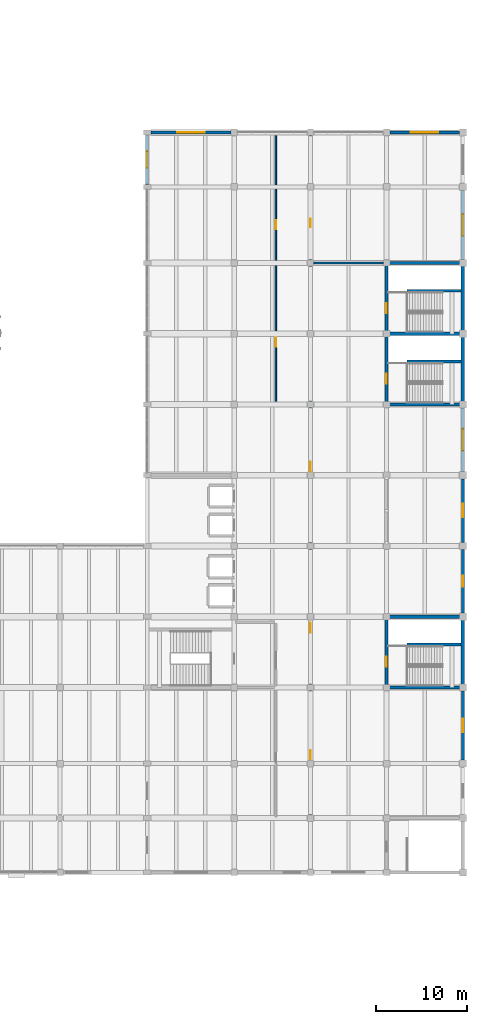
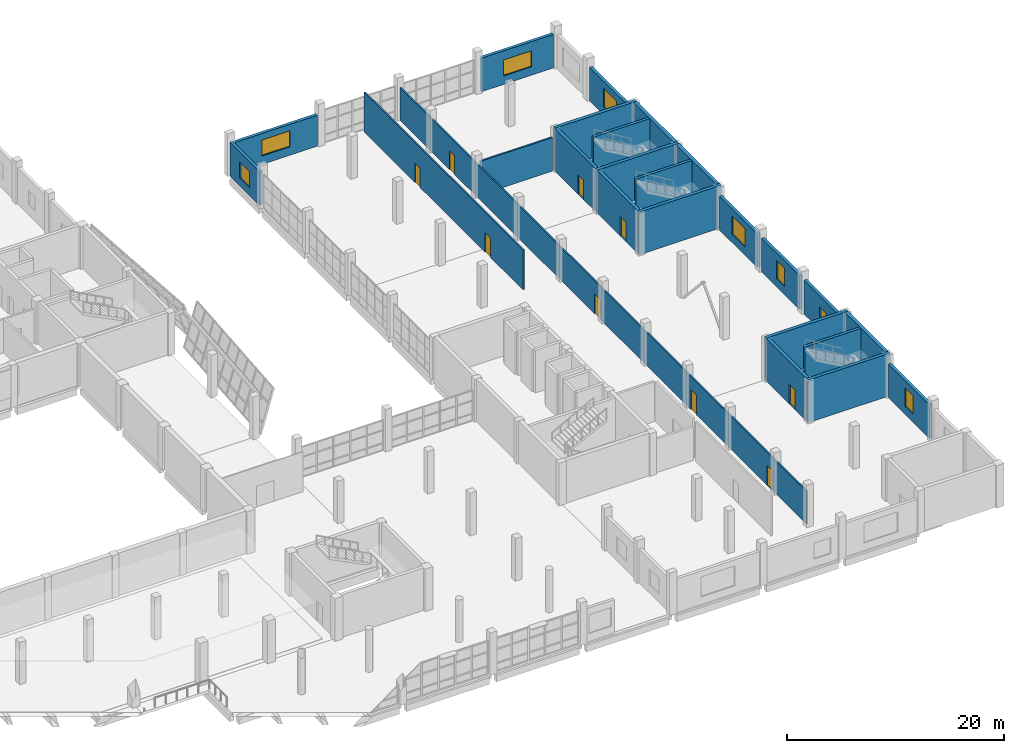
# One storey, part 85 of 91: 25 walls, 9 doors, 8 windows, 17 openings.
"""IFC4 building model written with IfcOpenShell, lengths in metres."""

from ifc_helpers import new_model, si_unit, direction, frame, frame_2d, origin, place, context, subcontext, project, spatial, rectangle, extrude, material, layer, layer_set, type_object, element, fill, save


model = new_model("IFC4")

# Units and contexts
model_context = context("Model", 3, precision=1e-05, world=origin(), true_north=direction((0.0, 1.0)))
body_context = subcontext(model_context, "Body", "Model", "MODEL_VIEW")
ifc_project = project(units=[si_unit("LENGTHUNIT", "METRE"), si_unit("AREAUNIT", "SQUARE_METRE"), si_unit("VOLUMEUNIT", "CUBIC_METRE"), si_unit("PLANEANGLEUNIT", "RADIAN"), si_unit("MASSUNIT", "GRAM", prefix="KILO")], contexts=[model_context])

# Site, building, storey
site_placement = place(None, origin())
site = spatial("IfcSite", under=ifc_project, at=site_placement, CompositionType="ELEMENT")
building_placement = place(site_placement, origin())
building = spatial("IfcBuilding", under=site, at=building_placement, Name="Pellamere Symphony Hall", CompositionType="ELEMENT")
storey_placement = place(building_placement, frame((0.0, 0.0, 5.39990234375)))
storey = spatial("IfcBuildingStorey", under=building, at=storey_placement, Name="L01", CompositionType="ELEMENT", Elevation=5.39990234375)

# Wall, opening, window
ifc_material_1 = material(Name="Precast concrete 40 MPa", Category="concrete")
ifc_layer_1 = layer(ifc_material_1, 0.320068359375, Name="Precast concrete 40 MPa")
ifc_layer_set_1 = layer_set([ifc_layer_1], Name="Precast concrete 40 MPa")
wall_type_1 = type_object("IfcWallType", Name="Exterior Wall EW-02 320mm", PredefinedType="SOLIDWALL", material=ifc_layer_set_1)
wall_1_placement = place(storey_placement, frame((138.39990234375, 99.60009765625, 0.0), z_axis=(0.0, 0.0, 1.0), x_axis=(1.0, 0.0, 0.0)))
wall_1 = element("IfcWall", 1, at=wall_1_placement, inside=storey, type_object=wall_type_1, Name="Exterior Wall EW-02-085 (L01)", PredefinedType="SOLIDWALL", context=body_context, shape_type="SweptSolid", body=[
    extrude(rectangle(XDim=8.85009765625, YDim=0.320068359375, at=frame_2d((4.425048828125, 0.0))), origin(), (0.0, 0.0, 1.0), 3.47998046875),
])
opening_1_placement = place(wall_1_placement, frame((2.925048828125, 0.0, 0.949951171875)))
opening_1 = element("IfcOpeningElement", 2, at=opening_1_placement, cuts=wall_1, Name="Opening W050", PredefinedType="OPENING", context=body_context, shape_type="SweptSolid", body=[
    extrude(rectangle(XDim=3.0, YDim=1.800048828125, at=frame_2d((1.5, 0.89990234375))), frame((0.0, 0.169921875, 0.0), z_axis=(0.0, -1.0, 0.0), x_axis=(1.0, 0.0, 0.0)), (0.0, 0.0, 1.0), 0.340087890625),
])
ifc_material_2 = material(Name="Thermally Broken Aluminium Triple-Glazed Acoustic Window", Category="aluminium")
window_type_1 = type_object("IfcWindowType", Name="Window WN-16 3000x1800", PartitioningType="TRIPLE_PANEL_VERTICAL", PredefinedType="WINDOW", material=ifc_material_2)
window_1_placement = place(opening_1_placement, origin())
window_1 = element("IfcWindow", 3, at=window_1_placement, inside=storey, type_object=window_type_1, Name="Exterior Window W050 (L01)", OverallHeight=1.800048828125, OverallWidth=3.0, PartitioningType="SINGLE_PANEL", PredefinedType="WINDOW", context=body_context, shape_type="SweptSolid", body=[
    extrude(rectangle(XDim=3.0, YDim=1.800048828125, at=frame_2d((1.5, 0.89990234375))), frame((0.0, 0.030029296875, 0.0), z_axis=(0.0, -1.0, 0.0), x_axis=(1.0, 0.0, 0.0)), (0.0, 0.0, 1.0), 0.06005859375),
])
fill(opening_1, window_1)

wall_2_placement = place(storey_placement, frame((164.75, 99.60009765625, 0.0), z_axis=(0.0, 0.0, 1.0), x_axis=(1.0, 0.0, 0.0)))
wall_2 = element("IfcWall", 4, at=wall_2_placement, inside=storey, type_object=wall_type_1, Name="Exterior Wall EW-02-086 (L01)", PredefinedType="SOLIDWALL", context=body_context, shape_type="SweptSolid", body=[
    extrude(rectangle(XDim=7.659912109375, YDim=0.320068359375, at=frame_2d((3.830078125, 0.0))), origin(), (0.0, 0.0, 1.0), 3.780029296875),
])
opening_2_placement = place(wall_2_placement, frame((2.330078125, 0.0, 0.949951171875)))
opening_2 = element("IfcOpeningElement", 5, at=opening_2_placement, cuts=wall_2, Name="Opening W051", PredefinedType="OPENING", context=body_context, shape_type="SweptSolid", body=[
    extrude(rectangle(XDim=3.0, YDim=1.800048828125, at=frame_2d((1.5, 0.89990234375))), frame((0.0, 0.169921875, 0.0), z_axis=(0.0, -1.0, 0.0), x_axis=(1.0, 0.0, 0.0)), (0.0, 0.0, 1.0), 0.340087890625),
])
window_2_placement = place(opening_2_placement, origin())
window_2 = element("IfcWindow", 6, at=window_2_placement, inside=storey, type_object=window_type_1, Name="Exterior Window W051 (L01)", OverallHeight=1.800048828125, OverallWidth=3.0, PartitioningType="SINGLE_PANEL", PredefinedType="WINDOW", context=body_context, shape_type="SweptSolid", body=[
    extrude(rectangle(XDim=3.0, YDim=1.800048828125, at=frame_2d((1.5, 0.89990234375))), frame((0.0, 0.030029296875, 0.0), z_axis=(0.0, -1.0, 0.0), x_axis=(1.0, 0.0, 0.0)), (0.0, 0.0, 1.0), 0.06005859375),
])
fill(opening_2, window_2)

wall_3_placement = place(storey_placement, frame((172.800048828125, 30.389892578125, 0.0), z_axis=(0.0, 0.0, 1.0), x_axis=(0.0, 1.0, 0.0)))
wall_3 = element("IfcWall", 7, at=wall_3_placement, inside=storey, type_object=wall_type_1, Name="Exterior Wall EW-02-088 (L01)", PredefinedType="SOLIDWALL", context=body_context, shape_type="SweptSolid", body=[
    extrude(rectangle(XDim=7.6201171875, YDim=0.320068359375, at=frame_2d((3.81005859375, 0.0))), origin(), (0.0, 0.0, 1.0), 3.800048828125),
])
opening_3_placement = place(wall_3_placement, frame((3.06005859375, 0.0, 0.89990234375)))
opening_3 = element("IfcOpeningElement", 8, at=opening_3_placement, cuts=wall_3, Name="Opening W053", PredefinedType="OPENING", context=body_context, shape_type="SweptSolid", body=[
    extrude(rectangle(XDim=1.5, YDim=2.10009765625, at=frame_2d((0.75, 1.050048828125))), frame((0.0, 0.169921875, 0.0), z_axis=(0.0, -1.0, 0.0), x_axis=(1.0, 0.0, 0.0)), (0.0, 0.0, 1.0), 0.340087890625),
])
window_type_2 = type_object("IfcWindowType", Name="Window WN-01 1500x2100", PartitioningType="SINGLE_PANEL", PredefinedType="WINDOW", material=ifc_material_2)
window_3_placement = place(opening_3_placement, origin())
window_3 = element("IfcWindow", 9, at=window_3_placement, inside=storey, type_object=window_type_2, Name="Exterior Window W053 (L01)", OverallHeight=2.10009765625, OverallWidth=1.5, PartitioningType="SINGLE_PANEL", PredefinedType="WINDOW", context=body_context, shape_type="SweptSolid", body=[
    extrude(rectangle(XDim=1.5, YDim=2.10009765625, at=frame_2d((0.75, 1.050048828125))), frame((0.0, 0.030029296875, 0.0), z_axis=(0.0, -1.0, 0.0), x_axis=(1.0, 0.0, 0.0)), (0.0, 0.0, 1.0), 0.06005859375),
])
fill(opening_3, window_3)

wall_4_placement = place(storey_placement, frame((172.800048828125, 46.590087890625, 0.0), z_axis=(0.0, 0.0, 1.0), x_axis=(0.0, 1.0, 0.0)))
wall_4 = element("IfcWall", 10, at=wall_4_placement, inside=storey, type_object=wall_type_1, Name="Exterior Wall EW-02-089 (L01)", PredefinedType="SOLIDWALL", context=body_context, shape_type="SweptSolid", body=[
    extrude(rectangle(XDim=7.02001953125, YDim=0.320068359375, at=frame_2d((3.510009765625, 0.0))), origin(), (0.0, 0.0, 1.0), 3.800048828125),
])
opening_4_placement = place(wall_4_placement, frame((2.909912109375, 0.0, 0.89990234375)))
opening_4 = element("IfcOpeningElement", 11, at=opening_4_placement, cuts=wall_4, Name="Opening W054", PredefinedType="OPENING", context=body_context, shape_type="SweptSolid", body=[
    extrude(rectangle(XDim=1.199951171875, YDim=1.64990234375, at=frame_2d((0.60009765625, 0.824951171875))), frame((0.0, 0.169921875, 0.0), z_axis=(0.0, -1.0, 0.0), x_axis=(1.0, 0.0, 0.0)), (0.0, 0.0, 1.0), 0.340087890625),
])
window_type_3 = type_object("IfcWindowType", Name="Window WN-07 1200x1650", PartitioningType="SINGLE_PANEL", PredefinedType="WINDOW", material=ifc_material_2)
window_4_placement = place(opening_4_placement, origin())
window_4 = element("IfcWindow", 12, at=window_4_placement, inside=storey, type_object=window_type_3, Name="Exterior Window W054 (L01)", OverallHeight=1.64990234375, OverallWidth=1.199951171875, PartitioningType="SINGLE_PANEL", PredefinedType="WINDOW", context=body_context, shape_type="SweptSolid", body=[
    extrude(rectangle(XDim=1.199951171875, YDim=1.64990234375, at=frame_2d((0.60009765625, 0.824951171875))), frame((0.0, 0.030029296875, 0.0), z_axis=(0.0, -1.0, 0.0), x_axis=(1.0, 0.0, 0.0)), (0.0, 0.0, 1.0), 0.06005859375),
])
fill(opening_4, window_4)

wall_5_placement = place(storey_placement, frame((172.800048828125, 54.389892578125, 0.0), z_axis=(0.0, 0.0, 1.0), x_axis=(0.0, 1.0, 0.0)))
wall_5 = element("IfcWall", 13, at=wall_5_placement, inside=storey, type_object=wall_type_1, Name="Exterior Wall EW-02-090 (L01)", PredefinedType="SOLIDWALL", context=body_context, shape_type="SweptSolid", body=[
    extrude(rectangle(XDim=7.02001953125, YDim=0.320068359375, at=frame_2d((3.510009765625, 0.0))), origin(), (0.0, 0.0, 1.0), 3.800048828125),
])
opening_5_placement = place(wall_5_placement, frame((2.760009765625, 0.0, 0.89990234375)))
opening_5 = element("IfcOpeningElement", 14, at=opening_5_placement, cuts=wall_5, Name="Opening W055", PredefinedType="OPENING", context=body_context, shape_type="SweptSolid", body=[
    extrude(rectangle(XDim=1.5, YDim=2.10009765625, at=frame_2d((0.75, 1.050048828125))), frame((0.0, 0.169921875, 0.0), z_axis=(0.0, -1.0, 0.0), x_axis=(1.0, 0.0, 0.0)), (0.0, 0.0, 1.0), 0.340087890625),
])
window_5_placement = place(opening_5_placement, origin())
window_5 = element("IfcWindow", 15, at=window_5_placement, inside=storey, type_object=window_type_2, Name="Exterior Window W055 (L01)", OverallHeight=2.10009765625, OverallWidth=1.5, PartitioningType="SINGLE_PANEL", PredefinedType="WINDOW", context=body_context, shape_type="SweptSolid", body=[
    extrude(rectangle(XDim=1.5, YDim=2.10009765625, at=frame_2d((0.75, 1.050048828125))), frame((0.0, 0.030029296875, 0.0), z_axis=(0.0, -1.0, 0.0), x_axis=(1.0, 0.0, 0.0)), (0.0, 0.0, 1.0), 0.06005859375),
])
fill(opening_5, window_5)

wall_6_placement = place(storey_placement, frame((172.800048828125, 62.18994140625, 0.0), z_axis=(0.0, 0.0, 1.0), x_axis=(0.0, 1.0, 0.0)))
wall_6 = element("IfcWall", 16, at=wall_6_placement, inside=storey, type_object=wall_type_1, Name="Exterior Wall EW-02-091 (L01)", PredefinedType="SOLIDWALL", context=body_context, shape_type="SweptSolid", body=[
    extrude(rectangle(XDim=7.02001953125, YDim=0.320068359375, at=frame_2d((3.510009765625, 0.0))), origin(), (0.0, 0.0, 1.0), 3.800048828125),
])
opening_6_placement = place(wall_6_placement, frame((2.31005859375, 0.0, 0.89990234375)))
opening_6 = element("IfcOpeningElement", 17, at=opening_6_placement, cuts=wall_6, Name="Opening W056", PredefinedType="OPENING", context=body_context, shape_type="SweptSolid", body=[
    extrude(rectangle(XDim=2.39990234375, YDim=2.10009765625, at=frame_2d((1.199951171875, 1.050048828125))), frame((0.0, 0.169921875, 0.0), z_axis=(0.0, -1.0, 0.0), x_axis=(1.0, 0.0, 0.0)), (0.0, 0.0, 1.0), 0.340087890625),
])
window_type_4 = type_object("IfcWindowType", Name="Window WN-02 2400x2100", PartitioningType="DOUBLE_PANEL_VERTICAL", PredefinedType="WINDOW", material=ifc_material_2)
window_6_placement = place(opening_6_placement, origin())
window_6 = element("IfcWindow", 18, at=window_6_placement, inside=storey, type_object=window_type_4, Name="Exterior Window W056 (L01)", OverallHeight=2.10009765625, OverallWidth=2.39990234375, PartitioningType="SINGLE_PANEL", PredefinedType="WINDOW", context=body_context, shape_type="SweptSolid", body=[
    extrude(rectangle(XDim=2.39990234375, YDim=2.10009765625, at=frame_2d((1.199951171875, 1.050048828125))), frame((0.0, 0.030029296875, 0.0), z_axis=(0.0, -1.0, 0.0), x_axis=(1.0, 0.0, 0.0)), (0.0, 0.0, 1.0), 0.06005859375),
])
fill(opening_6, window_6)

wall_7_placement = place(storey_placement, frame((172.800048828125, 85.590087890625, 0.0), z_axis=(0.0, 0.0, 1.0), x_axis=(0.0, 1.0, 0.0)))
wall_7 = element("IfcWall", 19, at=wall_7_placement, inside=storey, type_object=wall_type_1, Name="Exterior Wall EW-02-092 (L01)", PredefinedType="SOLIDWALL", context=body_context, shape_type="SweptSolid", body=[
    extrude(rectangle(XDim=7.619873046875, YDim=0.320068359375, at=frame_2d((3.81005859375, 0.0))), origin(), (0.0, 0.0, 1.0), 3.800048828125),
])
opening_7_placement = place(wall_7_placement, frame((2.610107421875, 0.0, 0.89990234375)))
opening_7 = element("IfcOpeningElement", 20, at=opening_7_placement, cuts=wall_7, Name="Opening W057", PredefinedType="OPENING", context=body_context, shape_type="SweptSolid", body=[
    extrude(rectangle(XDim=2.39990234375, YDim=2.10009765625, at=frame_2d((1.199951171875, 1.050048828125))), frame((0.0, 0.169921875, 0.0), z_axis=(0.0, -1.0, 0.0), x_axis=(1.0, 0.0, 0.0)), (0.0, 0.0, 1.0), 0.340087890625),
])
window_7_placement = place(opening_7_placement, origin())
window_7 = element("IfcWindow", 21, at=window_7_placement, inside=storey, type_object=window_type_4, Name="Exterior Window W057 (L01)", OverallHeight=2.10009765625, OverallWidth=2.39990234375, PartitioningType="SINGLE_PANEL", PredefinedType="WINDOW", context=body_context, shape_type="SweptSolid", body=[
    extrude(rectangle(XDim=2.39990234375, YDim=2.10009765625, at=frame_2d((1.199951171875, 1.050048828125))), frame((0.0, 0.030029296875, 0.0), z_axis=(0.0, -1.0, 0.0), x_axis=(1.0, 0.0, 0.0)), (0.0, 0.0, 1.0), 0.06005859375),
])
fill(opening_7, window_7)

wall_8_placement = place(storey_placement, frame((138.0, 93.875, 0.0), z_axis=(0.0, 0.0, 1.0), x_axis=(0.0, 1.0, 0.0)))
wall_8 = element("IfcWall", 22, at=wall_8_placement, inside=storey, type_object=wall_type_1, Name="Exterior Wall EW-02-096 (L01)", PredefinedType="SOLIDWALL", context=body_context, shape_type="SweptSolid", body=[
    extrude(rectangle(XDim=5.449951171875, YDim=0.320068359375, at=frame_2d((2.72509765625, 0.0))), origin(), (0.0, 0.0, 1.0), 3.800048828125),
])
opening_8_placement = place(wall_8_placement, frame((1.824951171875, 0.0, 0.89990234375)))
opening_8 = element("IfcOpeningElement", 23, at=opening_8_placement, cuts=wall_8, Name="Opening W061", PredefinedType="OPENING", context=body_context, shape_type="SweptSolid", body=[
    extrude(rectangle(XDim=1.800048828125, YDim=1.800048828125, at=frame_2d((0.89990234375, 0.89990234375))), frame((0.0, 0.169921875, 0.0), z_axis=(0.0, -1.0, 0.0), x_axis=(1.0, 0.0, 0.0)), (0.0, 0.0, 1.0), 0.340087890625),
])
window_type_5 = type_object("IfcWindowType", Name="Window WN-03 1800x1800", PartitioningType="DOUBLE_PANEL_VERTICAL", PredefinedType="WINDOW", material=ifc_material_2)
window_8_placement = place(opening_8_placement, origin())
window_8 = element("IfcWindow", 24, at=window_8_placement, inside=storey, type_object=window_type_5, Name="Exterior Window W061 (L01)", OverallHeight=1.800048828125, OverallWidth=1.800048828125, PartitioningType="SINGLE_PANEL", PredefinedType="WINDOW", context=body_context, shape_type="SweptSolid", body=[
    extrude(rectangle(XDim=1.800048828125, YDim=1.800048828125, at=frame_2d((0.89990234375, 0.89990234375))), frame((0.0, 0.030029296875, 0.0), z_axis=(0.0, -1.0, 0.0), x_axis=(1.0, 0.0, 0.0)), (0.0, 0.0, 1.0), 0.06005859375),
])
fill(opening_8, window_8)

# Wall, openings, doors
ifc_material_3 = material(Name="Practice Room STC-55 Isolated Stud Partition", Category="gypsum")
ifc_layer_2 = layer(ifc_material_3, 0.159912109375, Name="Practice Room STC-55 Isolated Stud Partition")
ifc_layer_set_2 = layer_set([ifc_layer_2], Name="Practice Room STC-55 Isolated Stud Partition")
wall_type_2 = type_object("IfcWallType", Name="Interior Partition IW-03 160mm", PredefinedType="PARTITIONING", material=ifc_layer_set_2)
wall_9_placement = place(storey_placement, frame((152.199951171875, 69.93994140625, 0.0), z_axis=(0.0, 0.0, 1.0), x_axis=(0.0, 1.0, 0.0)))
wall_9 = element("IfcWall", 25, at=wall_9_placement, inside=storey, type_object=wall_type_2, Name="Interior Partition IW-03-078 (L01)", PredefinedType="PARTITIONING", context=body_context, shape_type="SweptSolid", body=[
    extrude(rectangle(XDim=29.300048828125, YDim=0.159912109375, at=frame_2d((14.64990234375, 0.0))), origin(), (0.0, 0.0, 1.0), 4.489990234375),
])
opening_9_placement = place(wall_9_placement, frame((6.0, 0.0, 0.0)))
opening_9 = element("IfcOpeningElement", 26, at=opening_9_placement, cuts=wall_9, Name="Opening ID-RM2-038", PredefinedType="OPENING", context=body_context, shape_type="SweptSolid", body=[
    extrude(rectangle(XDim=1.02001953125, YDim=2.179931640625, at=frame_2d((0.510009765625, 1.08984375))), frame((0.0, 0.08984375, 0.0), z_axis=(0.0, -1.0, 0.0), x_axis=(1.0, 0.0, 0.0)), (0.0, 0.0, 1.0), 0.179931640625),
])
opening_10_placement = place(wall_9_placement, frame((19.0, 0.0, 0.0)))
opening_10 = element("IfcOpeningElement", 27, at=opening_10_placement, cuts=wall_9, Name="Opening ID-RM1-039", PredefinedType="OPENING", context=body_context, shape_type="SweptSolid", body=[
    extrude(rectangle(XDim=0.949951171875, YDim=2.14990234375, at=frame_2d((0.47509765625, 1.074951171875))), frame((0.0, 0.08984375, 0.0), z_axis=(0.0, -1.0, 0.0), x_axis=(1.0, 0.0, 0.0)), (0.0, 0.0, 1.0), 0.179931640625),
])
ifc_material_4 = material(Name="Solid-Core White Oak Room Door", Category="wood")
door_type_1 = type_object("IfcDoorType", Name="Interior Door ID-RM1 950x2150", OperationType="NOTDEFINED", PredefinedType="DOOR", material=ifc_material_4)
door_1_placement = place(opening_10_placement, origin())
door_1 = element("IfcDoor", 28, at=door_1_placement, inside=storey, type_object=door_type_1, Name="Listening Carrels Door", OperationType="SINGLE_SWING_LEFT", OverallHeight=2.14990234375, OverallWidth=0.949951171875, PredefinedType="DOOR", context=body_context, shape_type="SweptSolid", body=[
    extrude(rectangle(XDim=0.949951171875, YDim=2.14990234375, at=frame_2d((0.47509765625, 1.074951171875))), frame((0.0, 0.02490234375, 0.0), z_axis=(0.0, -1.0, 0.0), x_axis=(1.0, 0.0, 0.0)), (0.0, 0.0, 1.0), 0.050048828125),
])
fill(opening_10, door_1)
ifc_material_5 = material(Name="Wide Accessible Teaching Studio Oak Door", Category="wood")
door_type_2 = type_object("IfcDoorType", Name="Interior Door ID-RM2 1020x2180", OperationType="NOTDEFINED", PredefinedType="DOOR", material=ifc_material_5)
door_2_placement = place(opening_9_placement, origin())
door_2 = element("IfcDoor", 29, at=door_2_placement, inside=storey, type_object=door_type_2, Name="Musicology Library Door", OperationType="SINGLE_SWING_RIGHT", OverallHeight=2.179931640625, OverallWidth=1.02001953125, PredefinedType="DOOR", context=body_context, shape_type="SweptSolid", body=[
    extrude(rectangle(XDim=1.02001953125, YDim=2.179931640625, at=frame_2d((0.510009765625, 1.08984375))), frame((0.0, 0.02490234375, 0.0), z_axis=(0.0, -1.0, 0.0), x_axis=(1.0, 0.0, 0.0)), (0.0, 0.0, 1.0), 0.050048828125),
])
fill(opening_9, door_2)

wall_10_placement = place(storey_placement, frame((156.0, 24.159912109375, 0.0), z_axis=(0.0, 0.0, 1.0), x_axis=(0.0, 1.0, 0.0)))
wall_10 = element("IfcWall", 30, at=wall_10_placement, inside=storey, type_object=wall_type_2, Name="Interior Partition IW-03-079 (L01)", PredefinedType="PARTITIONING", context=body_context, shape_type="SweptSolid", body=[
    extrude(rectangle(XDim=75.080078125, YDim=0.159912109375, at=frame_2d((37.5400390625, 0.0))), origin(), (0.0, 0.0, 1.0), 3.7001953125),
])
opening_11_placement = place(wall_10_placement, frame((6.35009765625, 0.0, 0.0)))
opening_11 = element("IfcOpeningElement", 31, at=opening_11_placement, cuts=wall_10, Name="Opening ID-AD3-040", PredefinedType="OPENING", context=body_context, shape_type="SweptSolid", body=[
    extrude(rectangle(XDim=0.97998046875, YDim=2.199951171875, at=frame_2d((0.489990234375, 1.10009765625))), frame((0.0, 0.08984375, 0.0), z_axis=(0.0, -1.0, 0.0), x_axis=(1.0, 0.0, 0.0)), (0.0, 0.0, 1.0), 0.179931640625),
])
opening_12_placement = place(wall_10_placement, frame((20.300048828125, 0.0, 0.0)))
opening_12 = element("IfcOpeningElement", 32, at=opening_12_placement, cuts=wall_10, Name="Opening ID-AD2-041", PredefinedType="OPENING", context=body_context, shape_type="SweptSolid", body=[
    extrude(rectangle(XDim=1.050048828125, YDim=2.25, at=frame_2d((0.52490234375, 1.125))), frame((0.0, 0.08984375, 0.0), z_axis=(0.0, -1.0, 0.0), x_axis=(1.0, 0.0, 0.0)), (0.0, 0.0, 1.0), 0.179931640625),
])
opening_13_placement = place(wall_10_placement, frame((38.050048828125, 0.0, 0.0)))
opening_13 = element("IfcOpeningElement", 33, at=opening_13_placement, cuts=wall_10, Name="Opening ID-AD2-042", PredefinedType="OPENING", context=body_context, shape_type="SweptSolid", body=[
    extrude(rectangle(XDim=1.050048828125, YDim=2.25, at=frame_2d((0.52490234375, 1.125))), frame((0.0, 0.08984375, 0.0), z_axis=(0.0, -1.0, 0.0), x_axis=(1.0, 0.0, 0.0)), (0.0, 0.0, 1.0), 0.179931640625),
])
opening_14_placement = place(wall_10_placement, frame((65.0, 0.0, 0.0)))
opening_14 = element("IfcOpeningElement", 34, at=opening_14_placement, cuts=wall_10, Name="Opening ID-WC1-043", PredefinedType="OPENING", context=body_context, shape_type="SweptSolid", body=[
    extrude(rectangle(XDim=0.919921875, YDim=2.14990234375, at=frame_2d((0.4599609375, 1.074951171875))), frame((0.0, 0.08984375, 0.0), z_axis=(0.0, -1.0, 0.0), x_axis=(1.0, 0.0, 0.0)), (0.0, 0.0, 1.0), 0.179931640625),
])
ifc_material_6 = material(Name="STC-50 Oak Acoustic Studio Door", Category="wood")
door_type_3 = type_object("IfcDoorType", Name="Interior Door ID-AD2 1050x2250", OperationType="NOTDEFINED", PredefinedType="DOOR", material=ifc_material_6)
door_3_placement = place(opening_12_placement, origin())
door_3 = element("IfcDoor", 35, at=door_3_placement, inside=storey, type_object=door_type_3, Name="Piano Coaching Studio 1 Door", OperationType="SINGLE_SWING_LEFT", OverallHeight=2.25, OverallWidth=1.050048828125, PredefinedType="DOOR", context=body_context, shape_type="SweptSolid", body=[
    extrude(rectangle(XDim=1.050048828125, YDim=2.25, at=frame_2d((0.52490234375, 1.125))), frame((0.0, 0.02490234375, 0.0), z_axis=(0.0, -1.0, 0.0), x_axis=(1.0, 0.0, 0.0)), (0.0, 0.0, 1.0), 0.050048828125),
])
fill(opening_12, door_3)
door_4_placement = place(opening_13_placement, origin())
door_4 = element("IfcDoor", 36, at=door_4_placement, inside=storey, type_object=door_type_3, Name="Piano Coaching Studio 2 Door", OperationType="SINGLE_SWING_RIGHT", OverallHeight=2.25, OverallWidth=1.050048828125, PredefinedType="DOOR", context=body_context, shape_type="SweptSolid", body=[
    extrude(rectangle(XDim=1.050048828125, YDim=2.25, at=frame_2d((0.52490234375, 1.125))), frame((0.0, 0.02490234375, 0.0), z_axis=(0.0, -1.0, 0.0), x_axis=(1.0, 0.0, 0.0)), (0.0, 0.0, 1.0), 0.050048828125),
])
fill(opening_13, door_4)
ifc_material_7 = material(Name="STC-48 Acoustic Practice Room Door", Category="wood")
door_type_4 = type_object("IfcDoorType", Name="Interior Door ID-AD3 980x2200", OperationType="NOTDEFINED", PredefinedType="DOOR", material=ifc_material_7)
door_5_placement = place(opening_11_placement, origin())
door_5 = element("IfcDoor", 37, at=door_5_placement, inside=storey, type_object=door_type_4, Name="Woodwind Practice Suite B Door", OperationType="SINGLE_SWING_RIGHT", OverallHeight=2.199951171875, OverallWidth=0.97998046875, PredefinedType="DOOR", context=body_context, shape_type="SweptSolid", body=[
    extrude(rectangle(XDim=0.97998046875, YDim=2.199951171875, at=frame_2d((0.489990234375, 1.10009765625))), frame((0.0, 0.02490234375, 0.0), z_axis=(0.0, -1.0, 0.0), x_axis=(1.0, 0.0, 0.0)), (0.0, 0.0, 1.0), 0.050048828125),
])
fill(opening_11, door_5)
ifc_material_8 = material(Name="Accessible Washroom Privacy Door", Category="wood")
door_type_5 = type_object("IfcDoorType", Name="Interior Door ID-WC1 920x2150", OperationType="NOTDEFINED", PredefinedType="DOOR", material=ifc_material_8)
door_6_placement = place(opening_14_placement, origin())
door_6 = element("IfcDoor", 38, at=door_6_placement, inside=storey, type_object=door_type_5, Name="Conservatory Level 1 Washroom Door", OperationType="SINGLE_SWING_LEFT", OverallHeight=2.14990234375, OverallWidth=0.919921875, PredefinedType="DOOR", context=body_context, shape_type="SweptSolid", body=[
    extrude(rectangle(XDim=0.919921875, YDim=2.14990234375, at=frame_2d((0.4599609375, 1.074951171875))), frame((0.0, 0.02490234375, 0.0), z_axis=(0.0, -1.0, 0.0), x_axis=(1.0, 0.0, 0.0)), (0.0, 0.0, 1.0), 0.050048828125),
])
fill(opening_14, door_6)

# Walls
ifc_material_9 = material(Name="Moisture-Resistant Ceramic-Tiled Washroom Wall", Category="gypsum")
ifc_layer_3 = layer(ifc_material_9, 0.179931640625, Name="Moisture-Resistant Ceramic-Tiled Washroom Wall")
ifc_layer_set_3 = layer_set([ifc_layer_3], Name="Moisture-Resistant Ceramic-Tiled Washroom Wall")
wall_type_3 = type_object("IfcWallType", Name="Interior Partition IW-06 180mm", PredefinedType="PARTITIONING", material=ifc_layer_set_3)
wall_11_placement = place(storey_placement, frame((156.360107421875, 85.199951171875, 0.0), z_axis=(0.0, 0.0, 1.0), x_axis=(1.0, 0.0, 0.0)))
element("IfcWall", 39, at=wall_11_placement, inside=storey, type_object=wall_type_3, Name="Interior Partition IW-06-080 (L01)", PredefinedType="PARTITIONING", context=body_context, shape_type="SweptSolid", body=[
    extrude(rectangle(XDim=7.679931640625, YDim=0.179931640625, at=frame_2d((3.83984375, 0.0))), origin(), (0.0, 0.0, 1.0), 3.780029296875),
])
ifc_material_10 = material(Name="Concrete 40 MPa", Category="concrete")
ifc_layer_4 = layer(ifc_material_10, 0.35009765625, Name="Concrete 40 MPa")
ifc_layer_set_4 = layer_set([ifc_layer_4], Name="Concrete 40 MPa")
wall_type_4 = type_object("IfcWallType", Name="Structural Wall SW-03 350mm", PredefinedType="SHEAR", material=ifc_layer_set_4)
for number, where, z_axis, x_axis, name in (
    (40, (164.22509765625, 69.60009765625, 0.0), (0.0, 0.0, 1.0), (1.0, 0.0, 0.0), "Stair ST05 Enclosure Wall S (L01)"),
    (41, (164.22509765625, 77.39990234375, 0.0), (0.0, 0.0, 1.0), (1.0, 0.0, 0.0), "Stair ST05 Enclosure Wall N (L01)"),
):
    element("IfcWall", number, at=place(storey_placement, frame(where, z_axis=z_axis, x_axis=x_axis)), inside=storey, type_object=wall_type_4, Name=name, PredefinedType="SHEAR", context=body_context, shape_type="SweptSolid", body=[
        extrude(rectangle(XDim=8.75, YDim=0.35009765625, at=frame_2d((4.375, 0.0))), origin(), (0.0, 0.0, 1.0), 4.800048828125),
    ])

# Wall, opening, door
wall_12_placement = place(storey_placement, frame((164.39990234375, 69.77490234375, 0.0), z_axis=(0.0, 0.0, 1.0), x_axis=(0.0, 1.0, 0.0)))
wall_12 = element("IfcWall", 42, at=wall_12_placement, inside=storey, type_object=wall_type_4, Name="Stair ST05 Enclosure Wall W (L01)", PredefinedType="SHEAR", context=body_context, shape_type="SweptSolid", body=[
    extrude(rectangle(XDim=7.4501953125, YDim=0.35009765625, at=frame_2d((3.72509765625, 0.0))), origin(), (0.0, 0.0, 1.0), 4.800048828125),
])
opening_15_placement = place(wall_12_placement, frame((2.10009765625, 0.0, 0.0)))
opening_15 = element("IfcOpeningElement", 43, at=opening_15_placement, cuts=wall_12, Name="Opening SD-24", PredefinedType="OPENING", context=body_context, shape_type="SweptSolid", body=[
    extrude(rectangle(XDim=1.10009765625, YDim=2.199951171875, at=frame_2d((0.550048828125, 1.10009765625))), frame((0.0, 0.18505859375, 0.0), z_axis=(0.0, -1.0, 0.0), x_axis=(1.0, 0.0, 0.0)), (0.0, 0.0, 1.0), 0.3701171875),
])
ifc_material_11 = material(Name="Fire-Rated Steel Exit Stair Door", Category="steel")
door_type_6 = type_object("IfcDoorType", Name="Interior Door ID-SD1 1100x2200", OperationType="NOTDEFINED", PredefinedType="DOOR", material=ifc_material_11)
door_7_placement = place(opening_15_placement, frame((1.10009765625, 0.0, 0.0), z_axis=(0.0, 0.0, 1.0), x_axis=(-1.0, 0.0, 0.0)))
door_7 = element("IfcDoor", 44, at=door_7_placement, inside=storey, type_object=door_type_6, Name="Exit Stair ST05 Door (L01)", OperationType="SINGLE_SWING_RIGHT", OverallHeight=2.199951171875, OverallWidth=1.10009765625, PredefinedType="DOOR", context=body_context, shape_type="SweptSolid", body=[
    extrude(rectangle(XDim=1.10009765625, YDim=2.199951171875, at=frame_2d((0.550048828125, 1.10009765625))), frame((0.0, 0.02490234375, 0.0), z_axis=(0.0, -1.0, 0.0), x_axis=(1.0, 0.0, 0.0)), (0.0, 0.0, 1.0), 0.050048828125),
])
fill(opening_15, door_7)

# Walls
for number, where, z_axis, x_axis, name in (
    (45, (164.22509765625, 38.39990234375, 0.0), (0.0, 0.0, 1.0), (1.0, 0.0, 0.0), "Stair ST06 Enclosure Wall S (L01)"),
    (46, (164.22509765625, 46.199951171875, 0.0), (0.0, 0.0, 1.0), (1.0, 0.0, 0.0), "Stair ST06 Enclosure Wall N (L01)"),
):
    element("IfcWall", number, at=place(storey_placement, frame(where, z_axis=z_axis, x_axis=x_axis)), inside=storey, type_object=wall_type_4, Name=name, PredefinedType="SHEAR", context=body_context, shape_type="SweptSolid", body=[
        extrude(rectangle(XDim=8.75, YDim=0.35009765625, at=frame_2d((4.375, 0.0))), origin(), (0.0, 0.0, 1.0), 4.800048828125),
    ])

# Wall, opening, door
wall_13_placement = place(storey_placement, frame((164.39990234375, 38.574951171875, 0.0), z_axis=(0.0, 0.0, 1.0), x_axis=(0.0, 1.0, 0.0)))
wall_13 = element("IfcWall", 47, at=wall_13_placement, inside=storey, type_object=wall_type_4, Name="Stair ST06 Enclosure Wall W (L01)", PredefinedType="SHEAR", context=body_context, shape_type="SweptSolid", body=[
    extrude(rectangle(XDim=7.449951171875, YDim=0.35009765625, at=frame_2d((3.72509765625, 0.0))), origin(), (0.0, 0.0, 1.0), 4.800048828125),
])
opening_16_placement = place(wall_13_placement, frame((2.10009765625, 0.0, 0.0)))
opening_16 = element("IfcOpeningElement", 48, at=opening_16_placement, cuts=wall_13, Name="Opening SD-31", PredefinedType="OPENING", context=body_context, shape_type="SweptSolid", body=[
    extrude(rectangle(XDim=1.10009765625, YDim=2.199951171875, at=frame_2d((0.550048828125, 1.10009765625))), frame((0.0, 0.18505859375, 0.0), z_axis=(0.0, -1.0, 0.0), x_axis=(1.0, 0.0, 0.0)), (0.0, 0.0, 1.0), 0.3701171875),
])
door_8_placement = place(opening_16_placement, frame((1.10009765625, 0.0, 0.0), z_axis=(0.0, 0.0, 1.0), x_axis=(-1.0, 0.0, 0.0)))
door_8 = element("IfcDoor", 49, at=door_8_placement, inside=storey, type_object=door_type_6, Name="Exit Stair ST06 Door (L01)", OperationType="SINGLE_SWING_LEFT", OverallHeight=2.199951171875, OverallWidth=1.10009765625, PredefinedType="DOOR", context=body_context, shape_type="SweptSolid", body=[
    extrude(rectangle(XDim=1.10009765625, YDim=2.199951171875, at=frame_2d((0.550048828125, 1.10009765625))), frame((0.0, 0.02490234375, 0.0), z_axis=(0.0, -1.0, 0.0), x_axis=(1.0, 0.0, 0.0)), (0.0, 0.0, 1.0), 0.050048828125),
])
fill(opening_16, door_8)

# Wall
wall_14_placement = place(storey_placement, frame((164.22509765625, 85.199951171875, 0.0), z_axis=(0.0, 0.0, 1.0), x_axis=(1.0, 0.0, 0.0)))
element("IfcWall", 50, at=wall_14_placement, inside=storey, type_object=wall_type_4, Name="Stair ST14 Enclosure Wall N (L01)", PredefinedType="SHEAR", context=body_context, shape_type="SweptSolid", body=[
    extrude(rectangle(XDim=8.75, YDim=0.35009765625, at=frame_2d((4.375, 0.0))), origin(), (0.0, 0.0, 1.0), 4.800048828125),
])

# Wall, opening, door
wall_15_placement = place(storey_placement, frame((164.39990234375, 77.574951171875, 0.0), z_axis=(0.0, 0.0, 1.0), x_axis=(0.0, 1.0, 0.0)))
wall_15 = element("IfcWall", 51, at=wall_15_placement, inside=storey, type_object=wall_type_4, Name="Stair ST14 Enclosure Wall W (L01)", PredefinedType="SHEAR", context=body_context, shape_type="SweptSolid", body=[
    extrude(rectangle(XDim=7.449951171875, YDim=0.35009765625, at=frame_2d((3.72509765625, 0.0))), origin(), (0.0, 0.0, 1.0), 4.800048828125),
])
opening_17_placement = place(wall_15_placement, frame((2.10009765625, 0.0, 0.0)))
opening_17 = element("IfcOpeningElement", 52, at=opening_17_placement, cuts=wall_15, Name="Opening SD-65", PredefinedType="OPENING", context=body_context, shape_type="SweptSolid", body=[
    extrude(rectangle(XDim=1.10009765625, YDim=2.199951171875, at=frame_2d((0.550048828125, 1.10009765625))), frame((0.0, 0.18505859375, 0.0), z_axis=(0.0, -1.0, 0.0), x_axis=(1.0, 0.0, 0.0)), (0.0, 0.0, 1.0), 0.3701171875),
])
door_9_placement = place(opening_17_placement, frame((1.10009765625, 0.0, 0.0), z_axis=(0.0, 0.0, 1.0), x_axis=(-1.0, 0.0, 0.0)))
door_9 = element("IfcDoor", 53, at=door_9_placement, inside=storey, type_object=door_type_6, Name="Exit Stair ST14 Door (L01)", OperationType="SINGLE_SWING_LEFT", OverallHeight=2.199951171875, OverallWidth=1.10009765625, PredefinedType="DOOR", context=body_context, shape_type="SweptSolid", body=[
    extrude(rectangle(XDim=1.10009765625, YDim=2.199951171875, at=frame_2d((0.550048828125, 1.10009765625))), frame((0.0, 0.02490234375, 0.0), z_axis=(0.0, -1.0, 0.0), x_axis=(1.0, 0.0, 0.0)), (0.0, 0.0, 1.0), 0.050048828125),
])
fill(opening_17, door_9)

# Walls
ifc_layer_5 = layer(ifc_material_10, 0.300048828125, Name="Concrete 40 MPa")
ifc_layer_set_5 = layer_set([ifc_layer_5], Name="Concrete 40 MPa")
wall_type_5 = type_object("IfcWallType", Name="Structural Wall SW-04 300mm", PredefinedType="SHEAR", material=ifc_layer_set_5)
for number, where, z_axis, x_axis, name in (
    (54, (166.625, 74.35009765625, 0.0), (0.0, 0.0, 1.0), (1.0, 0.0, 0.0), "Stair ST05 Discharge Divider Wall (L01)"),
    (55, (166.625, 43.14990234375, 0.0), (0.0, 0.0, 1.0), (1.0, 0.0, 0.0), "Stair ST06 Discharge Divider Wall (L01)"),
    (56, (166.625, 82.14990234375, 0.0), (0.0, 0.0, 1.0), (1.0, 0.0, 0.0), "Stair ST14 Discharge Divider Wall (L01)"),
):
    element("IfcWall", number, at=place(storey_placement, frame(where, z_axis=z_axis, x_axis=x_axis)), inside=storey, type_object=wall_type_5, Name=name, PredefinedType="SHEAR", context=body_context, shape_type="SweptSolid", body=[
        extrude(rectangle(XDim=5.9951171875, YDim=0.300048828125, at=frame_2d((2.99755859375, 0.0))), origin(), (0.0, 0.0, 1.0), 4.800048828125),
    ])
ifc_layer_6 = layer(ifc_material_10, 0.3798828125, Name="Concrete 40 MPa")
ifc_layer_set_6 = layer_set([ifc_layer_6], Name="Concrete 40 MPa")
wall_type_6 = type_object("IfcWallType", Name="Structural Wall SW-07 380mm", PredefinedType="SHEAR", material=ifc_layer_set_6)
wall_16_placement = place(storey_placement, frame((172.800048828125, 69.77490234375, 0.0), z_axis=(0.0, 0.0, 1.0), x_axis=(0.0, 1.0, 0.0)))
element("IfcWall", 57, at=wall_16_placement, inside=storey, type_object=wall_type_6, Name="Stair ST05 Enclosure Wall E (L01)", PredefinedType="SHEAR", context=body_context, shape_type="SweptSolid", body=[
    extrude(rectangle(XDim=7.4501953125, YDim=0.3798828125, at=frame_2d((3.72509765625, 0.0))), origin(), (0.0, 0.0, 1.0), 4.800048828125),
])
for number, where, z_axis, x_axis, name in (
    (58, (172.800048828125, 38.574951171875, 0.0), (0.0, 0.0, 1.0), (0.0, 1.0, 0.0), "Stair ST06 Enclosure Wall E (L01)"),
    (59, (172.800048828125, 77.574951171875, 0.0), (0.0, 0.0, 1.0), (0.0, 1.0, 0.0), "Stair ST14 Enclosure Wall E (L01)"),
):
    element("IfcWall", number, at=place(storey_placement, frame(where, z_axis=z_axis, x_axis=x_axis)), inside=storey, type_object=wall_type_6, Name=name, PredefinedType="SHEAR", context=body_context, shape_type="SweptSolid", body=[
        extrude(rectangle(XDim=7.449951171875, YDim=0.3798828125, at=frame_2d((3.72509765625, 0.0))), origin(), (0.0, 0.0, 1.0), 4.800048828125),
    ])

save(model, "model.ifc")
